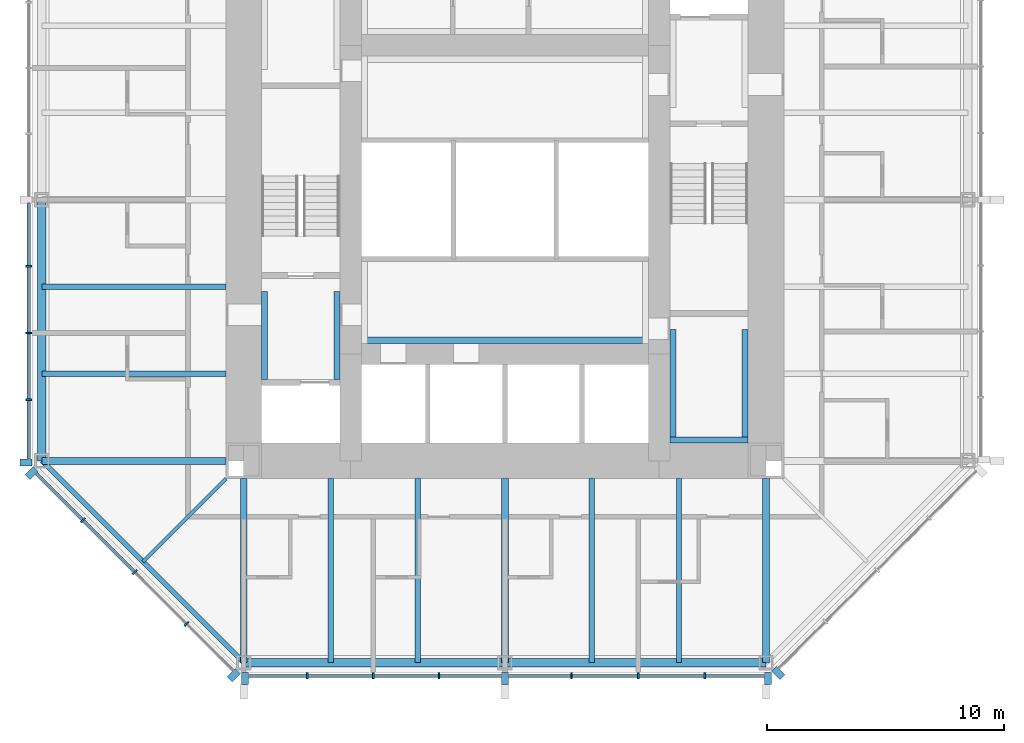
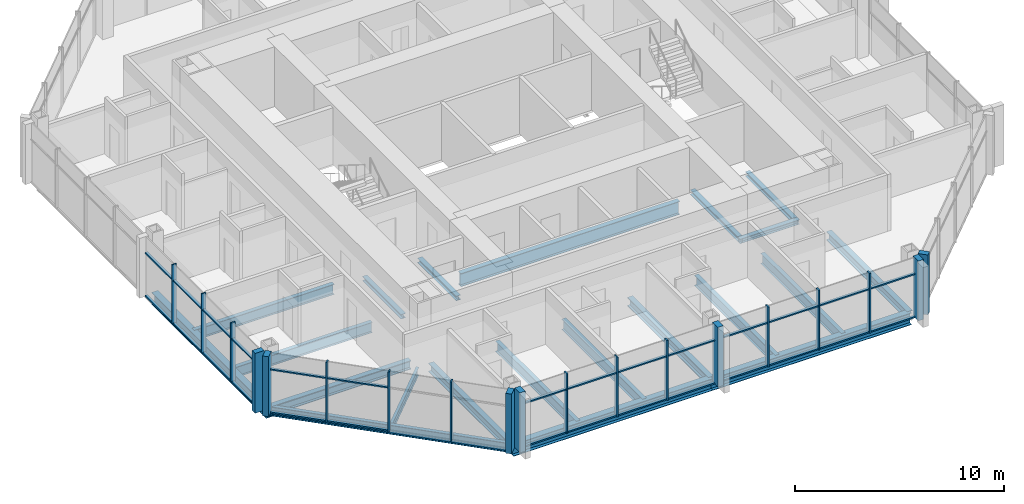
# One storey, part 2 of 12: 47 members, 21 beams, 4 elements without a shape of their own.
"""IFC4 building model written with IfcOpenShell, lengths in metres."""

from ifc_helpers import new_model, si_unit, direction, frame, origin, origin_2d, place, context, subcontext, project, spatial, rectangle, i_section, extrude, material, material_profile, profile_set, type_object, element, aggregate, save


model = new_model("IFC4")

# Units and contexts
model_context = context("Model", 3, precision=1e-05, world=origin(), true_north=direction((0.0, 1.0)))
body_context = subcontext(model_context, "Body", "Model", "MODEL_VIEW")
ifc_project = project(units=[si_unit("LENGTHUNIT", "METRE"), si_unit("AREAUNIT", "SQUARE_METRE"), si_unit("VOLUMEUNIT", "CUBIC_METRE"), si_unit("PLANEANGLEUNIT", "RADIAN"), si_unit("MASSUNIT", "GRAM", prefix="KILO")], contexts=[model_context])

# Site, building, storey
site_placement = place(None, origin())
site = spatial("IfcSite", under=ifc_project, at=site_placement, CompositionType="ELEMENT")
building_placement = place(site_placement, origin())
building = spatial("IfcBuilding", under=site, at=building_placement, Name="Trevanion Tower", CompositionType="ELEMENT")
storey_placement = place(building_placement, frame((0.0, 0.0, 194.199951171875)))
storey = spatial("IfcBuildingStorey", under=building, at=storey_placement, Name="L45", CompositionType="ELEMENT", Elevation=194.199951171875)

# Beams
ifc_material_1 = material(Name="Steel ASTM A992 Grade 50", Category="steel")
ifc_material_profile_1 = material_profile(ifc_material_1, i_section(OverallWidth=0.228271484375, OverallDepth=0.607177734375, WebThickness=0.01123046875, FlangeThickness=0.017333984375, at=origin_2d()), Name="W24X76")
ifc_profile_set_1 = profile_set([ifc_material_profile_1], Name="Steel ASTM A992 Grade 50")
beam_type_1 = type_object("IfcBeamType", Name="B11 W24X76", PredefinedType="BEAM", material=ifc_profile_set_1)
for number, where, z_axis, x_axis, name in (
    (1, (-11.75, -3.666748046875, -0.493408203125), (-1.0, 0.0, 0.0), (0.0, -1.0, 0.0), "B11 L45"),
    (2, (-11.75, -7.333251953125, -0.493408203125), (-1.0, 0.0, 0.0), (0.0, -1.0, 0.0), "B11 L45"),
    (3, (-7.333251953125, -11.75, -0.493408203125), (0.0, -1.0, 0.0), (1.0, 0.0, 0.0), "B11 L45"),
    (4, (-3.666748046875, -11.75, -0.493408203125), (0.0, -1.0, 0.0), (1.0, 0.0, 0.0), "B11 L45"),
    (5, (3.666748046875, -11.75, -0.493408203125), (0.0, -1.0, 0.0), (1.0, 0.0, 0.0), "B11 L45"),
    (6, (7.333251953125, -11.75, -0.493408203125), (0.0, -1.0, 0.0), (1.0, 0.0, 0.0), "B11 L45"),
):
    element("IfcBeam", number, at=place(storey_placement, frame(where, z_axis=z_axis, x_axis=x_axis)), inside=storey, type_object=beam_type_1, Name=name, PredefinedType="BEAM", context=body_context, shape_type="SweptSolid", body=[
        extrude(i_section(OverallWidth=0.228271484375, OverallDepth=0.607177734375, WebThickness=0.01123046875, FlangeThickness=0.017333984375, at=origin_2d()), origin(), (0.0, 0.0, 1.0), 7.75),
    ])
ifc_material_2 = material(Name="Steel ASTM A992 Grade 50", Category="steel")
ifc_material_profile_2 = material_profile(ifc_material_2, i_section(OverallWidth=0.15234375, OverallDepth=0.449462890625, WebThickness=0.007568359375, FlangeThickness=0.0107421875, at=origin_2d()), Name="W18X35")
ifc_profile_set_2 = profile_set([ifc_material_profile_2], Name="Steel ASTM A992 Grade 50")
beam_type_2 = type_object("IfcBeamType", Name="B12 W18X35", PredefinedType="BEAM", material=ifc_profile_set_2)
beam_1_placement = place(storey_placement, frame((-11.75, -11.75, -0.414794921875), z_axis=(-0.707106781187, -0.707106781187, 0.0), x_axis=(0.707106781187, -0.707106781187, 0.0)))
element("IfcBeam", 7, at=beam_1_placement, inside=storey, type_object=beam_type_2, Name="B12 L45", PredefinedType="BEAM", context=body_context, shape_type="SweptSolid", body=[
    extrude(i_section(OverallWidth=0.15234375, OverallDepth=0.449462890625, WebThickness=0.007568359375, FlangeThickness=0.0107421875, at=origin_2d()), origin(), (0.0, 0.0, 1.0), 4.94970703125),
])

# Curtain wall, members
ifc_material_3 = material(Name="Aluminium and glass", Category="aluminium")
curtain_wall_type = type_object("IfcCurtainWallType", Name="CW3 curtain wall", PredefinedType="USERDEFINED", material=ifc_material_3)
curtain_wall_1_placement = place(storey_placement, origin())
curtain_wall_1 = element("IfcCurtainWall", 8, at=curtain_wall_1_placement, inside=storey, type_object=curtain_wall_type, Name="CW3 L45 4", ObjectType="UNITISED CURTAIN WALL", PredefinedType="USERDEFINED")
ifc_material_4 = material(Name="Aluminium extrusion, anodised bronze", Category="aluminium")
ifc_material_profile_3 = material_profile(ifc_material_4, rectangle(XDim=0.074951171875, YDim=0.25, at=origin_2d()), Name="CW3 mullion")
ifc_profile_set_3 = profile_set([ifc_material_profile_3], Name="Aluminium extrusion, anodised bronze")
member_type_1 = type_object("IfcMemberType", Name="CW3 mullion", PredefinedType="MULLION", material=ifc_profile_set_3)
member_1_placement = place(storey_placement, frame((-20.050048828125, -2.806884765625, -0.18994140625), z_axis=(0.0, 0.0, 1.0), x_axis=(0.0, -1.0, 0.0)))
member_1 = element("IfcMember", 9, at=member_1_placement, type_object=member_type_1, Name="CW3 mullion 6", PredefinedType="MULLION", context=body_context, shape_type="SweptSolid", body=[
    extrude(rectangle(XDim=0.074951171875, YDim=0.25, at=origin_2d()), origin(), (0.0, 0.0, 1.0), 3.5),
])
member_2_placement = place(storey_placement, frame((-20.050048828125, -5.614013671875, -0.18994140625), z_axis=(0.0, 0.0, 1.0), x_axis=(0.0, -1.0, 0.0)))
member_2 = element("IfcMember", 10, at=member_2_placement, type_object=member_type_1, Name="CW3 mullion 7", PredefinedType="MULLION", context=body_context, shape_type="SweptSolid", body=[
    extrude(rectangle(XDim=0.074951171875, YDim=0.25, at=origin_2d()), origin(), (0.0, 0.0, 1.0), 3.5),
])
member_3_placement = place(storey_placement, frame((-20.050048828125, -8.4208984375, -0.18994140625), z_axis=(0.0, 0.0, 1.0), x_axis=(0.0, -1.0, 0.0)))
member_3 = element("IfcMember", 11, at=member_3_placement, type_object=member_type_1, Name="CW3 mullion 8", PredefinedType="MULLION", context=body_context, shape_type="SweptSolid", body=[
    extrude(rectangle(XDim=0.074951171875, YDim=0.25, at=origin_2d()), origin(), (0.0, 0.0, 1.0), 3.5),
])

curtain_wall_2_placement = place(storey_placement, origin())
curtain_wall_2 = element("IfcCurtainWall", 12, at=curtain_wall_2_placement, inside=storey, type_object=curtain_wall_type, Name="CW3 L45 5", ObjectType="UNITISED CURTAIN WALL", PredefinedType="USERDEFINED")
member_4_placement = place(storey_placement, frame((-17.775390625, -13.502197265625, -0.18994140625), z_axis=(0.0, 0.0, 1.0), x_axis=(0.707106781187, -0.707106781187, 0.0)))
member_4 = element("IfcMember", 13, at=member_4_placement, type_object=member_type_1, Name="CW3 mullion 2", PredefinedType="MULLION", context=body_context, shape_type="SweptSolid", body=[
    extrude(rectangle(XDim=0.074951171875, YDim=0.25, at=origin_2d()), origin(), (0.0, 0.0, 1.0), 3.5),
])
member_5_placement = place(storey_placement, frame((-15.593017578125, -15.684814453125, -0.18994140625), z_axis=(0.0, 0.0, 1.0), x_axis=(0.707106781187, -0.707106781187, 0.0)))
member_5 = element("IfcMember", 14, at=member_5_placement, type_object=member_type_1, Name="CW3 mullion 3", PredefinedType="MULLION", context=body_context, shape_type="SweptSolid", body=[
    extrude(rectangle(XDim=0.074951171875, YDim=0.25, at=origin_2d()), origin(), (0.0, 0.0, 1.0), 3.5),
])
member_6_placement = place(storey_placement, frame((-13.410400390625, -17.867431640625, -0.18994140625), z_axis=(0.0, 0.0, 1.0), x_axis=(0.707106781187, -0.707106781187, 0.0)))
member_6 = element("IfcMember", 15, at=member_6_placement, type_object=member_type_1, Name="CW3 mullion 4", PredefinedType="MULLION", context=body_context, shape_type="SweptSolid", body=[
    extrude(rectangle(XDim=0.074951171875, YDim=0.25, at=origin_2d()), origin(), (0.0, 0.0, 1.0), 3.5),
])

curtain_wall_3_placement = place(storey_placement, origin())
curtain_wall_3 = element("IfcCurtainWall", 16, at=curtain_wall_3_placement, inside=storey, type_object=curtain_wall_type, Name="CW3 L45 6", ObjectType="UNITISED CURTAIN WALL", PredefinedType="USERDEFINED")
member_7_placement = place(storey_placement, frame((-8.323486328125, -20.050048828125, -0.18994140625), z_axis=(0.0, 0.0, 1.0), x_axis=(1.0, 0.0, 0.0)))
member_7 = element("IfcMember", 17, at=member_7_placement, type_object=member_type_1, Name="CW3 mullion 2", PredefinedType="MULLION", context=body_context, shape_type="SweptSolid", body=[
    extrude(rectangle(XDim=0.074951171875, YDim=0.25, at=origin_2d()), origin(), (0.0, 0.0, 1.0), 3.5),
])
member_8_placement = place(storey_placement, frame((-5.548828125, -20.050048828125, -0.18994140625), z_axis=(0.0, 0.0, 1.0), x_axis=(1.0, 0.0, 0.0)))
member_8 = element("IfcMember", 18, at=member_8_placement, type_object=member_type_1, Name="CW3 mullion 3", PredefinedType="MULLION", context=body_context, shape_type="SweptSolid", body=[
    extrude(rectangle(XDim=0.074951171875, YDim=0.25, at=origin_2d()), origin(), (0.0, 0.0, 1.0), 3.5),
])
member_9_placement = place(storey_placement, frame((-2.7744140625, -20.050048828125, -0.18994140625), z_axis=(0.0, 0.0, 1.0), x_axis=(1.0, 0.0, 0.0)))
member_9 = element("IfcMember", 19, at=member_9_placement, type_object=member_type_1, Name="CW3 mullion 4", PredefinedType="MULLION", context=body_context, shape_type="SweptSolid", body=[
    extrude(rectangle(XDim=0.074951171875, YDim=0.25, at=origin_2d()), origin(), (0.0, 0.0, 1.0), 3.5),
])
member_10_placement = place(storey_placement, frame((2.806884765625, -20.050048828125, -0.18994140625), z_axis=(0.0, 0.0, 1.0), x_axis=(1.0, 0.0, 0.0)))
member_10 = element("IfcMember", 20, at=member_10_placement, type_object=member_type_1, Name="CW3 mullion 6", PredefinedType="MULLION", context=body_context, shape_type="SweptSolid", body=[
    extrude(rectangle(XDim=0.074951171875, YDim=0.25, at=origin_2d()), origin(), (0.0, 0.0, 1.0), 3.5),
])
member_11_placement = place(storey_placement, frame((5.614013671875, -20.050048828125, -0.18994140625), z_axis=(0.0, 0.0, 1.0), x_axis=(1.0, 0.0, 0.0)))
member_11 = element("IfcMember", 21, at=member_11_placement, type_object=member_type_1, Name="CW3 mullion 7", PredefinedType="MULLION", context=body_context, shape_type="SweptSolid", body=[
    extrude(rectangle(XDim=0.074951171875, YDim=0.25, at=origin_2d()), origin(), (0.0, 0.0, 1.0), 3.5),
])
member_12_placement = place(storey_placement, frame((8.4208984375, -20.050048828125, -0.18994140625), z_axis=(0.0, 0.0, 1.0), x_axis=(1.0, 0.0, 0.0)))
member_12 = element("IfcMember", 22, at=member_12_placement, type_object=member_type_1, Name="CW3 mullion 8", PredefinedType="MULLION", context=body_context, shape_type="SweptSolid", body=[
    extrude(rectangle(XDim=0.074951171875, YDim=0.25, at=origin_2d()), origin(), (0.0, 0.0, 1.0), 3.5),
])

# Member
ifc_material_5 = material(Name="Aluminium extrusion, anodised bronze", Category="aluminium")
ifc_material_profile_4 = material_profile(ifc_material_5, rectangle(XDim=0.300048828125, YDim=0.5, at=origin_2d()), Name="CW3 pier mullion")
ifc_profile_set_4 = profile_set([ifc_material_profile_4], Name="Aluminium extrusion, anodised bronze")
member_type_2 = type_object("IfcMemberType", Name="CW3 pier mullion", PredefinedType="MULLION", material=ifc_profile_set_4)
member_13_placement = place(storey_placement, frame((-20.175048828125, -11.077880859375, -0.18994140625), z_axis=(0.0, 0.0, 1.0), x_axis=(0.0, -1.0, 0.0)))
member_13 = element("IfcMember", 23, at=member_13_placement, type_object=member_type_2, Name="CW3 pier mullion 9", PredefinedType="MULLION", context=body_context, shape_type="SweptSolid", body=[
    extrude(rectangle(XDim=0.300048828125, YDim=0.5, at=origin_2d()), origin(), (0.0, 0.0, 1.0), 3.5),
])

member_14_placement = place(storey_placement, frame((-19.9404296875, -11.51416015625, -0.18994140625), z_axis=(0.0, 0.0, 1.0), x_axis=(0.707106781187, -0.707106781187, 0.0)))
member_14 = element("IfcMember", 24, at=member_14_placement, type_object=member_type_2, Name="CW3 pier mullion 1", PredefinedType="MULLION", context=body_context, shape_type="SweptSolid", body=[
    extrude(rectangle(XDim=0.300048828125, YDim=0.5, at=origin_2d()), origin(), (0.0, 0.0, 1.0), 3.5),
])

member_15_placement = place(storey_placement, frame((-11.42236328125, -20.0322265625, -0.18994140625), z_axis=(0.0, 0.0, 1.0), x_axis=(0.707106781187, -0.707106781187, 0.0)))
member_15 = element("IfcMember", 25, at=member_15_placement, type_object=member_type_2, Name="CW3 pier mullion 5", PredefinedType="MULLION", context=body_context, shape_type="SweptSolid", body=[
    extrude(rectangle(XDim=0.300048828125, YDim=0.5, at=origin_2d()), origin(), (0.0, 0.0, 1.0), 3.5),
])

member_16_placement = place(storey_placement, frame((-10.94775390625, -20.175048828125, -0.18994140625), z_axis=(0.0, 0.0, 1.0), x_axis=(1.0, 0.0, 0.0)))
member_16 = element("IfcMember", 26, at=member_16_placement, type_object=member_type_2, Name="CW3 pier mullion 1", PredefinedType="MULLION", context=body_context, shape_type="SweptSolid", body=[
    extrude(rectangle(XDim=0.300048828125, YDim=0.5, at=origin_2d()), origin(), (0.0, 0.0, 1.0), 3.5),
])

member_17_placement = place(storey_placement, frame((0.0, -20.175048828125, -0.18994140625), z_axis=(0.0, 0.0, 1.0), x_axis=(1.0, 0.0, 0.0)))
member_17 = element("IfcMember", 27, at=member_17_placement, type_object=member_type_2, Name="CW3 pier mullion 5", PredefinedType="MULLION", context=body_context, shape_type="SweptSolid", body=[
    extrude(rectangle(XDim=0.300048828125, YDim=0.5, at=origin_2d()), origin(), (0.0, 0.0, 1.0), 3.5),
])

member_18_placement = place(storey_placement, frame((11.077880859375, -20.175048828125, -0.18994140625), z_axis=(0.0, 0.0, 1.0), x_axis=(1.0, 0.0, 0.0)))
member_18 = element("IfcMember", 28, at=member_18_placement, type_object=member_type_2, Name="CW3 pier mullion 9", PredefinedType="MULLION", context=body_context, shape_type="SweptSolid", body=[
    extrude(rectangle(XDim=0.300048828125, YDim=0.5, at=origin_2d()), origin(), (0.0, 0.0, 1.0), 3.5),
])

# Curtain wall, member
curtain_wall_4_placement = place(storey_placement, origin())
curtain_wall_4 = element("IfcCurtainWall", 29, at=curtain_wall_4_placement, inside=storey, type_object=curtain_wall_type, Name="CW3 L45 7", ObjectType="UNITISED CURTAIN WALL", PredefinedType="USERDEFINED")
member_19_placement = place(storey_placement, frame((11.51416015625, -19.9404296875, -0.18994140625), z_axis=(0.0, 0.0, 1.0), x_axis=(0.707106781187, 0.707106781187, 0.0)))
member_19 = element("IfcMember", 30, at=member_19_placement, type_object=member_type_2, Name="CW3 pier mullion 1", PredefinedType="MULLION", context=body_context, shape_type="SweptSolid", body=[
    extrude(rectangle(XDim=0.300048828125, YDim=0.5, at=origin_2d()), origin(), (0.0, 0.0, 1.0), 3.5),
])
aggregate(curtain_wall_4, [member_19])

# Member
ifc_material_6 = material(Name="Aluminium extrusion, anodised bronze", Category="aluminium")
ifc_material_profile_5 = material_profile(ifc_material_6, rectangle(XDim=0.14990234375, YDim=0.074951171875, at=origin_2d()), Name="CW3 transom")
ifc_profile_set_5 = profile_set([ifc_material_profile_5], Name="Aluminium extrusion, anodised bronze")
member_type_3 = type_object("IfcMemberType", Name="CW3 transom", PredefinedType="USERDEFINED", material=ifc_profile_set_5)
member_20_placement = place(storey_placement, frame((-20.050048828125, -0.14990234375, -0.15234375), z_axis=(0.0, -1.0, 0.0), x_axis=(1.0, 0.0, 0.0)))
member_20 = element("IfcMember", 31, at=member_20_placement, type_object=member_type_3, Name="CW3 transom 5.1", ObjectType="TRANSOM", PredefinedType="USERDEFINED", context=body_context, shape_type="SweptSolid", body=[
    extrude(rectangle(XDim=0.14990234375, YDim=0.074951171875, at=origin_2d()), origin(), (0.0, 0.0, 1.0), 2.619384765625),
])

member_21_placement = place(storey_placement, frame((-20.050048828125, -0.14990234375, 2.360107421875), z_axis=(0.0, -1.0, 0.0), x_axis=(1.0, 0.0, 0.0)))
member_21 = element("IfcMember", 32, at=member_21_placement, type_object=member_type_3, Name="CW3 transom 5.2", ObjectType="TRANSOM", PredefinedType="USERDEFINED", context=body_context, shape_type="SweptSolid", body=[
    extrude(rectangle(XDim=0.14990234375, YDim=0.074951171875, at=origin_2d()), origin(), (0.0, 0.0, 1.0), 2.619384765625),
])

member_22_placement = place(storey_placement, frame((-20.050048828125, -2.844482421875, -0.15234375), z_axis=(0.0, -1.0, 0.0), x_axis=(1.0, 0.0, 0.0)))
member_22 = element("IfcMember", 33, at=member_22_placement, type_object=member_type_3, Name="CW3 transom 6.1", ObjectType="TRANSOM", PredefinedType="USERDEFINED", context=body_context, shape_type="SweptSolid", body=[
    extrude(rectangle(XDim=0.14990234375, YDim=0.074951171875, at=origin_2d()), origin(), (0.0, 0.0, 1.0), 2.73193359375),
])

member_23_placement = place(storey_placement, frame((-20.050048828125, -2.844482421875, 2.360107421875), z_axis=(0.0, -1.0, 0.0), x_axis=(1.0, 0.0, 0.0)))
member_23 = element("IfcMember", 34, at=member_23_placement, type_object=member_type_3, Name="CW3 transom 6.2", ObjectType="TRANSOM", PredefinedType="USERDEFINED", context=body_context, shape_type="SweptSolid", body=[
    extrude(rectangle(XDim=0.14990234375, YDim=0.074951171875, at=origin_2d()), origin(), (0.0, 0.0, 1.0), 2.73193359375),
])

member_24_placement = place(storey_placement, frame((-20.050048828125, -5.6513671875, -0.15234375), z_axis=(0.0, -1.0, 0.0), x_axis=(1.0, 0.0, 0.0)))
member_24 = element("IfcMember", 35, at=member_24_placement, type_object=member_type_3, Name="CW3 transom 7.1", ObjectType="TRANSOM", PredefinedType="USERDEFINED", context=body_context, shape_type="SweptSolid", body=[
    extrude(rectangle(XDim=0.14990234375, YDim=0.074951171875, at=origin_2d()), origin(), (0.0, 0.0, 1.0), 2.73193359375),
])

member_25_placement = place(storey_placement, frame((-20.050048828125, -5.6513671875, 2.360107421875), z_axis=(0.0, -1.0, 0.0), x_axis=(1.0, 0.0, 0.0)))
member_25 = element("IfcMember", 36, at=member_25_placement, type_object=member_type_3, Name="CW3 transom 7.2", ObjectType="TRANSOM", PredefinedType="USERDEFINED", context=body_context, shape_type="SweptSolid", body=[
    extrude(rectangle(XDim=0.14990234375, YDim=0.074951171875, at=origin_2d()), origin(), (0.0, 0.0, 1.0), 2.73193359375),
])

member_26_placement = place(storey_placement, frame((-20.050048828125, -8.45849609375, -0.15234375), z_axis=(0.0, -1.0, 0.0), x_axis=(1.0, 0.0, 0.0)))
member_26 = element("IfcMember", 37, at=member_26_placement, type_object=member_type_3, Name="CW3 transom 8.1", ObjectType="TRANSOM", PredefinedType="USERDEFINED", context=body_context, shape_type="SweptSolid", body=[
    extrude(rectangle(XDim=0.14990234375, YDim=0.074951171875, at=origin_2d()), origin(), (0.0, 0.0, 1.0), 2.46923828125),
])

member_27_placement = place(storey_placement, frame((-20.050048828125, -8.45849609375, 2.360107421875), z_axis=(0.0, -1.0, 0.0), x_axis=(1.0, 0.0, 0.0)))
member_27 = element("IfcMember", 38, at=member_27_placement, type_object=member_type_3, Name="CW3 transom 8.2", ObjectType="TRANSOM", PredefinedType="USERDEFINED", context=body_context, shape_type="SweptSolid", body=[
    extrude(rectangle(XDim=0.14990234375, YDim=0.074951171875, at=origin_2d()), origin(), (0.0, 0.0, 1.0), 2.46923828125),
])

aggregate(curtain_wall_1, [member_1, member_2, member_3, member_13, member_20, member_21, member_22, member_23, member_24, member_25, member_26, member_27])

member_28_placement = place(storey_placement, frame((-19.745849609375, -11.531982421875, -0.15234375), z_axis=(0.707106781187, -0.707106781187, 0.0), x_axis=(0.707106781187, 0.707106781187, 0.0)))
member_28 = element("IfcMember", 39, at=member_28_placement, type_object=member_type_3, Name="CW3 transom 1.1", ObjectType="TRANSOM", PredefinedType="USERDEFINED", context=body_context, shape_type="SweptSolid", body=[
    extrude(rectangle(XDim=0.14990234375, YDim=0.074951171875, at=origin_2d()), origin(), (0.0, 0.0, 1.0), 2.7490234375),
])

member_29_placement = place(storey_placement, frame((-19.745849609375, -11.531982421875, 2.360107421875), z_axis=(0.707106781187, -0.707106781187, 0.0), x_axis=(0.707106781187, 0.707106781187, 0.0)))
member_29 = element("IfcMember", 40, at=member_29_placement, type_object=member_type_3, Name="CW3 transom 1.2", ObjectType="TRANSOM", PredefinedType="USERDEFINED", context=body_context, shape_type="SweptSolid", body=[
    extrude(rectangle(XDim=0.14990234375, YDim=0.074951171875, at=origin_2d()), origin(), (0.0, 0.0, 1.0), 2.7490234375),
])

member_30_placement = place(storey_placement, frame((-17.7490234375, -13.52880859375, -0.15234375), z_axis=(0.707106781187, -0.707106781187, 0.0), x_axis=(0.707106781187, 0.707106781187, 0.0)))
member_30 = element("IfcMember", 41, at=member_30_placement, type_object=member_type_3, Name="CW3 transom 2.1", ObjectType="TRANSOM", PredefinedType="USERDEFINED", context=body_context, shape_type="SweptSolid", body=[
    extrude(rectangle(XDim=0.14990234375, YDim=0.074951171875, at=origin_2d()), origin(), (0.0, 0.0, 1.0), 3.01171875),
])

member_31_placement = place(storey_placement, frame((-17.7490234375, -13.52880859375, 2.360107421875), z_axis=(0.707106781187, -0.707106781187, 0.0), x_axis=(0.707106781187, 0.707106781187, 0.0)))
member_31 = element("IfcMember", 42, at=member_31_placement, type_object=member_type_3, Name="CW3 transom 2.2", ObjectType="TRANSOM", PredefinedType="USERDEFINED", context=body_context, shape_type="SweptSolid", body=[
    extrude(rectangle(XDim=0.14990234375, YDim=0.074951171875, at=origin_2d()), origin(), (0.0, 0.0, 1.0), 3.01171875),
])

aggregate(curtain_wall_2, [member_14, member_4, member_5, member_6, member_15, member_28, member_29, member_30, member_31])

member_32_placement = place(storey_placement, frame((-10.7978515625, -20.050048828125, -0.15234375), z_axis=(1.0, 0.0, 0.0), x_axis=(0.0, 1.0, 0.0)))
member_32 = element("IfcMember", 43, at=member_32_placement, type_object=member_type_3, Name="CW3 transom 1.1", ObjectType="TRANSOM", PredefinedType="USERDEFINED", context=body_context, shape_type="SweptSolid", body=[
    extrude(rectangle(XDim=0.14990234375, YDim=0.074951171875, at=origin_2d()), origin(), (0.0, 0.0, 1.0), 2.43701171875),
])

member_33_placement = place(storey_placement, frame((-10.7978515625, -20.050048828125, 2.360107421875), z_axis=(1.0, 0.0, 0.0), x_axis=(0.0, 1.0, 0.0)))
member_33 = element("IfcMember", 44, at=member_33_placement, type_object=member_type_3, Name="CW3 transom 1.2", ObjectType="TRANSOM", PredefinedType="USERDEFINED", context=body_context, shape_type="SweptSolid", body=[
    extrude(rectangle(XDim=0.14990234375, YDim=0.074951171875, at=origin_2d()), origin(), (0.0, 0.0, 1.0), 2.43701171875),
])

member_34_placement = place(storey_placement, frame((-8.285888671875, -20.050048828125, -0.15234375), z_axis=(1.0, 0.0, 0.0), x_axis=(0.0, 1.0, 0.0)))
member_34 = element("IfcMember", 45, at=member_34_placement, type_object=member_type_3, Name="CW3 transom 2.1", ObjectType="TRANSOM", PredefinedType="USERDEFINED", context=body_context, shape_type="SweptSolid", body=[
    extrude(rectangle(XDim=0.14990234375, YDim=0.074951171875, at=origin_2d()), origin(), (0.0, 0.0, 1.0), 2.699462890625),
])

member_35_placement = place(storey_placement, frame((-8.285888671875, -20.050048828125, 2.360107421875), z_axis=(1.0, 0.0, 0.0), x_axis=(0.0, 1.0, 0.0)))
member_35 = element("IfcMember", 46, at=member_35_placement, type_object=member_type_3, Name="CW3 transom 2.2", ObjectType="TRANSOM", PredefinedType="USERDEFINED", context=body_context, shape_type="SweptSolid", body=[
    extrude(rectangle(XDim=0.14990234375, YDim=0.074951171875, at=origin_2d()), origin(), (0.0, 0.0, 1.0), 2.699462890625),
])

member_36_placement = place(storey_placement, frame((-5.511474609375, -20.050048828125, -0.15234375), z_axis=(1.0, 0.0, 0.0), x_axis=(0.0, 1.0, 0.0)))
member_36 = element("IfcMember", 47, at=member_36_placement, type_object=member_type_3, Name="CW3 transom 3.1", ObjectType="TRANSOM", PredefinedType="USERDEFINED", context=body_context, shape_type="SweptSolid", body=[
    extrude(rectangle(XDim=0.14990234375, YDim=0.074951171875, at=origin_2d()), origin(), (0.0, 0.0, 1.0), 2.699462890625),
])

member_37_placement = place(storey_placement, frame((-5.511474609375, -20.050048828125, 2.360107421875), z_axis=(1.0, 0.0, 0.0), x_axis=(0.0, 1.0, 0.0)))
member_37 = element("IfcMember", 48, at=member_37_placement, type_object=member_type_3, Name="CW3 transom 3.2", ObjectType="TRANSOM", PredefinedType="USERDEFINED", context=body_context, shape_type="SweptSolid", body=[
    extrude(rectangle(XDim=0.14990234375, YDim=0.074951171875, at=origin_2d()), origin(), (0.0, 0.0, 1.0), 2.699462890625),
])

member_38_placement = place(storey_placement, frame((-2.737060546875, -20.050048828125, -0.15234375), z_axis=(1.0, 0.0, 0.0), x_axis=(0.0, 1.0, 0.0)))
member_38 = element("IfcMember", 49, at=member_38_placement, type_object=member_type_3, Name="CW3 transom 4.1", ObjectType="TRANSOM", PredefinedType="USERDEFINED", context=body_context, shape_type="SweptSolid", body=[
    extrude(rectangle(XDim=0.14990234375, YDim=0.074951171875, at=origin_2d()), origin(), (0.0, 0.0, 1.0), 2.587158203125),
])

member_39_placement = place(storey_placement, frame((-2.737060546875, -20.050048828125, 2.360107421875), z_axis=(1.0, 0.0, 0.0), x_axis=(0.0, 1.0, 0.0)))
member_39 = element("IfcMember", 50, at=member_39_placement, type_object=member_type_3, Name="CW3 transom 4.2", ObjectType="TRANSOM", PredefinedType="USERDEFINED", context=body_context, shape_type="SweptSolid", body=[
    extrude(rectangle(XDim=0.14990234375, YDim=0.074951171875, at=origin_2d()), origin(), (0.0, 0.0, 1.0), 2.587158203125),
])

member_40_placement = place(storey_placement, frame((0.14990234375, -20.050048828125, -0.15234375), z_axis=(1.0, 0.0, 0.0), x_axis=(0.0, 1.0, 0.0)))
member_40 = element("IfcMember", 51, at=member_40_placement, type_object=member_type_3, Name="CW3 transom 5.1", ObjectType="TRANSOM", PredefinedType="USERDEFINED", context=body_context, shape_type="SweptSolid", body=[
    extrude(rectangle(XDim=0.14990234375, YDim=0.074951171875, at=origin_2d()), origin(), (0.0, 0.0, 1.0), 2.619384765625),
])

member_41_placement = place(storey_placement, frame((0.14990234375, -20.050048828125, 2.360107421875), z_axis=(1.0, 0.0, 0.0), x_axis=(0.0, 1.0, 0.0)))
member_41 = element("IfcMember", 52, at=member_41_placement, type_object=member_type_3, Name="CW3 transom 5.2", ObjectType="TRANSOM", PredefinedType="USERDEFINED", context=body_context, shape_type="SweptSolid", body=[
    extrude(rectangle(XDim=0.14990234375, YDim=0.074951171875, at=origin_2d()), origin(), (0.0, 0.0, 1.0), 2.619384765625),
])

member_42_placement = place(storey_placement, frame((2.844482421875, -20.050048828125, -0.15234375), z_axis=(1.0, 0.0, 0.0), x_axis=(0.0, 1.0, 0.0)))
member_42 = element("IfcMember", 53, at=member_42_placement, type_object=member_type_3, Name="CW3 transom 6.1", ObjectType="TRANSOM", PredefinedType="USERDEFINED", context=body_context, shape_type="SweptSolid", body=[
    extrude(rectangle(XDim=0.14990234375, YDim=0.074951171875, at=origin_2d()), origin(), (0.0, 0.0, 1.0), 2.73193359375),
])

member_43_placement = place(storey_placement, frame((2.844482421875, -20.050048828125, 2.360107421875), z_axis=(1.0, 0.0, 0.0), x_axis=(0.0, 1.0, 0.0)))
member_43 = element("IfcMember", 54, at=member_43_placement, type_object=member_type_3, Name="CW3 transom 6.2", ObjectType="TRANSOM", PredefinedType="USERDEFINED", context=body_context, shape_type="SweptSolid", body=[
    extrude(rectangle(XDim=0.14990234375, YDim=0.074951171875, at=origin_2d()), origin(), (0.0, 0.0, 1.0), 2.73193359375),
])

member_44_placement = place(storey_placement, frame((5.6513671875, -20.050048828125, -0.15234375), z_axis=(1.0, 0.0, 0.0), x_axis=(0.0, 1.0, 0.0)))
member_44 = element("IfcMember", 55, at=member_44_placement, type_object=member_type_3, Name="CW3 transom 7.1", ObjectType="TRANSOM", PredefinedType="USERDEFINED", context=body_context, shape_type="SweptSolid", body=[
    extrude(rectangle(XDim=0.14990234375, YDim=0.074951171875, at=origin_2d()), origin(), (0.0, 0.0, 1.0), 2.73193359375),
])

member_45_placement = place(storey_placement, frame((5.6513671875, -20.050048828125, 2.360107421875), z_axis=(1.0, 0.0, 0.0), x_axis=(0.0, 1.0, 0.0)))
member_45 = element("IfcMember", 56, at=member_45_placement, type_object=member_type_3, Name="CW3 transom 7.2", ObjectType="TRANSOM", PredefinedType="USERDEFINED", context=body_context, shape_type="SweptSolid", body=[
    extrude(rectangle(XDim=0.14990234375, YDim=0.074951171875, at=origin_2d()), origin(), (0.0, 0.0, 1.0), 2.73193359375),
])

member_46_placement = place(storey_placement, frame((8.45849609375, -20.050048828125, -0.15234375), z_axis=(1.0, 0.0, 0.0), x_axis=(0.0, 1.0, 0.0)))
member_46 = element("IfcMember", 57, at=member_46_placement, type_object=member_type_3, Name="CW3 transom 8.1", ObjectType="TRANSOM", PredefinedType="USERDEFINED", context=body_context, shape_type="SweptSolid", body=[
    extrude(rectangle(XDim=0.14990234375, YDim=0.074951171875, at=origin_2d()), origin(), (0.0, 0.0, 1.0), 2.46923828125),
])

member_47_placement = place(storey_placement, frame((8.45849609375, -20.050048828125, 2.360107421875), z_axis=(1.0, 0.0, 0.0), x_axis=(0.0, 1.0, 0.0)))
member_47 = element("IfcMember", 58, at=member_47_placement, type_object=member_type_3, Name="CW3 transom 8.2", ObjectType="TRANSOM", PredefinedType="USERDEFINED", context=body_context, shape_type="SweptSolid", body=[
    extrude(rectangle(XDim=0.14990234375, YDim=0.074951171875, at=origin_2d()), origin(), (0.0, 0.0, 1.0), 2.46923828125),
])

aggregate(curtain_wall_3, [member_16, member_7, member_8, member_9, member_17, member_10, member_11, member_12, member_18, member_32, member_33, member_34, member_35, member_36, member_37, member_38, member_39, member_40, member_41, member_42, member_43, member_44, member_45, member_46, member_47])

# Beams
ifc_material_7 = material(Name="Steel ASTM A992 Grade 50", Category="steel")
ifc_material_profile_6 = material_profile(ifc_material_7, i_section(OverallWidth=0.28955078125, OverallDepth=0.508056640625, WebThickness=0.022705078125, FlangeThickness=0.040283203125, at=origin_2d()), Name="W18X175")
ifc_profile_set_6 = profile_set([ifc_material_profile_6], Name="Steel ASTM A992 Grade 50")
beam_type_3 = type_object("IfcBeamType", Name="G6 W18X175", PredefinedType="BEAM", material=ifc_profile_set_6)
for number, where, z_axis, x_axis, name in (
    (59, (-11.75, -11.0, -0.44384765625), (-1.0, 0.0, 0.0), (0.0, -1.0, 0.0), "G6 L45"),
    (60, (-11.0, -11.75, -0.44384765625), (0.0, -1.0, 0.0), (1.0, 0.0, 0.0), "G6 L45"),
    (61, (0.0, -11.75, -0.44384765625), (0.0, -1.0, 0.0), (1.0, 0.0, 0.0), "G6 L45"),
    (62, (11.0, -11.75, -0.44384765625), (0.0, -1.0, 0.0), (1.0, 0.0, 0.0), "G6 L45"),
):
    element("IfcBeam", number, at=place(storey_placement, frame(where, z_axis=z_axis, x_axis=x_axis)), inside=storey, type_object=beam_type_3, Name=name, PredefinedType="BEAM", context=body_context, shape_type="SweptSolid", body=[
        extrude(i_section(OverallWidth=0.28955078125, OverallDepth=0.508056640625, WebThickness=0.022705078125, FlangeThickness=0.040283203125, at=origin_2d()), origin(), (0.0, 0.0, 1.0), 7.75),
    ])
ifc_material_8 = material(Name="Steel ASTM A992 Grade 50", Category="steel")
ifc_material_profile_7 = material_profile(ifc_material_8, i_section(OverallWidth=0.256591796875, OverallDepth=0.26416015625, WebThickness=0.011962890625, FlangeThickness=0.01953125, at=origin_2d()), Name="W10X68")
ifc_profile_set_7 = profile_set([ifc_material_profile_7], Name="Steel ASTM A992 Grade 50")
beam_type_4 = type_object("IfcBeamType", Name="LB1 W10X68", PredefinedType="BEAM", material=ifc_profile_set_7)
for number, where, z_axis, x_axis, name in (
    (63, (-10.12158203125, -7.574951171875, -0.33203125), (0.0, 1.0, 0.0), (-1.0, 0.0, 0.0), "LB1 L45"),
    (64, (-7.078369140625, -7.574951171875, -0.33203125), (0.0, 1.0, 0.0), (-1.0, 0.0, 0.0), "LB1 L45"),
):
    element("IfcBeam", number, at=place(storey_placement, frame(where, z_axis=z_axis, x_axis=x_axis)), inside=storey, type_object=beam_type_4, Name=name, PredefinedType="BEAM", context=body_context, shape_type="SweptSolid", body=[
        extrude(i_section(OverallWidth=0.256591796875, OverallDepth=0.26416015625, WebThickness=0.011962890625, FlangeThickness=0.01953125, at=origin_2d()), origin(), (0.0, 0.0, 1.0), 3.699951171875),
    ])
for number, where, z_axis, x_axis, name in (
    (65, (7.078369140625, -10.25, -0.33203125), (0.0, 1.0, 0.0), (-1.0, 0.0, 0.0), "LB1 L45"),
    (66, (10.12158203125, -10.25, -0.33203125), (0.0, 1.0, 0.0), (-1.0, 0.0, 0.0), "LB1 L45"),
):
    element("IfcBeam", number, at=place(storey_placement, frame(where, z_axis=z_axis, x_axis=x_axis)), inside=storey, type_object=beam_type_4, Name=name, PredefinedType="BEAM", context=body_context, shape_type="SweptSolid", body=[
        extrude(i_section(OverallWidth=0.256591796875, OverallDepth=0.26416015625, WebThickness=0.011962890625, FlangeThickness=0.01953125, at=origin_2d()), origin(), (0.0, 0.0, 1.0), 4.77490234375),
    ])
beam_2_placement = place(storey_placement, frame((6.949951171875, -10.12158203125, -0.33203125), z_axis=(1.0, 0.0, 0.0), x_axis=(0.0, 1.0, 0.0)))
element("IfcBeam", 67, at=beam_2_placement, inside=storey, type_object=beam_type_4, Name="LB1 L45", PredefinedType="BEAM", context=body_context, shape_type="SweptSolid", body=[
    extrude(i_section(OverallWidth=0.256591796875, OverallDepth=0.26416015625, WebThickness=0.011962890625, FlangeThickness=0.01953125, at=origin_2d()), origin(), (0.0, 0.0, 1.0), 3.300048828125),
])
ifc_material_9 = material(Name="Steel ASTM A992 Grade 50", Category="steel")
ifc_material_profile_8 = material_profile(ifc_material_9, i_section(OverallWidth=0.2666015625, OverallDepth=0.76953125, WebThickness=0.015625, FlangeThickness=0.025390625, at=origin_2d()), Name="W30X132")
ifc_profile_set_8 = profile_set([ifc_material_profile_8], Name="Steel ASTM A992 Grade 50")
beam_type_5 = type_object("IfcBeamType", Name="LB3 W30X132", PredefinedType="BEAM", material=ifc_profile_set_8)
beam_3_placement = place(storey_placement, frame((-6.050048828125, -5.91650390625, -0.584716796875), z_axis=(1.0, 0.0, 0.0), x_axis=(0.0, 1.0, 0.0)))
element("IfcBeam", 68, at=beam_3_placement, inside=storey, type_object=beam_type_5, Name="LB3 L45", PredefinedType="BEAM", context=body_context, shape_type="SweptSolid", body=[
    extrude(i_section(OverallWidth=0.2666015625, OverallDepth=0.76953125, WebThickness=0.015625, FlangeThickness=0.025390625, at=origin_2d()), origin(), (0.0, 0.0, 1.0), 12.10009765625),
])
ifc_material_10 = material(Name="Steel ASTM A992 Grade 50", Category="steel")
ifc_material_profile_9 = material_profile(ifc_material_10, i_section(OverallWidth=0.355712890625, OverallDepth=0.696044921875, WebThickness=0.015380859375, FlangeThickness=0.024658203125, at=origin_2d()), Name="W27X146")
ifc_profile_set_9 = profile_set([ifc_material_profile_9], Name="Steel ASTM A992 Grade 50")
beam_type_6 = type_object("IfcBeamType", Name="SB8 W27X146", PredefinedType="SPANDREL", material=ifc_profile_set_9)
for number, where, z_axis, x_axis, name in (
    (69, (-19.5, 0.0, -0.537841796875), (0.0, -1.0, 0.0), (1.0, 0.0, 0.0), "SB8 L45"),
    (70, (-11.0, -19.5, -0.537841796875), (1.0, 0.0, 0.0), (0.0, 1.0, 0.0), "SB8 L45"),
    (71, (0.0, -19.5, -0.537841796875), (1.0, 0.0, 0.0), (0.0, 1.0, 0.0), "SB8 L45"),
):
    element("IfcBeam", number, at=place(storey_placement, frame(where, z_axis=z_axis, x_axis=x_axis)), inside=storey, type_object=beam_type_6, Name=name, PredefinedType="SPANDREL", context=body_context, shape_type="SweptSolid", body=[
        extrude(i_section(OverallWidth=0.355712890625, OverallDepth=0.696044921875, WebThickness=0.015380859375, FlangeThickness=0.024658203125, at=origin_2d()), origin(), (0.0, 0.0, 1.0), 11.0),
    ])
ifc_material_11 = material(Name="Steel ASTM A992 Grade 50", Category="steel")
ifc_material_profile_10 = material_profile(ifc_material_11, i_section(OverallWidth=0.209228515625, OverallDepth=0.533447265625, WebThickness=0.01025390625, FlangeThickness=0.015625, at=origin_2d()), Name="W21X62")
ifc_profile_set_10 = profile_set([ifc_material_profile_10], Name="Steel ASTM A992 Grade 50")
beam_type_7 = type_object("IfcBeamType", Name="SB9 W21X62", PredefinedType="SPANDREL", material=ifc_profile_set_10)
beam_4_placement = place(storey_placement, frame((-19.5, -11.0, -0.45654296875), z_axis=(0.707106781187, -0.707106781187, 0.0), x_axis=(0.707106781187, 0.707106781187, 0.0)))
element("IfcBeam", 72, at=beam_4_placement, inside=storey, type_object=beam_type_7, Name="SB9 L45", PredefinedType="SPANDREL", context=body_context, shape_type="SweptSolid", body=[
    extrude(i_section(OverallWidth=0.209228515625, OverallDepth=0.533447265625, WebThickness=0.01025390625, FlangeThickness=0.015625, at=origin_2d()), origin(), (0.0, 0.0, 1.0), 12.020751953125),
])

save(model, "model.ifc")
